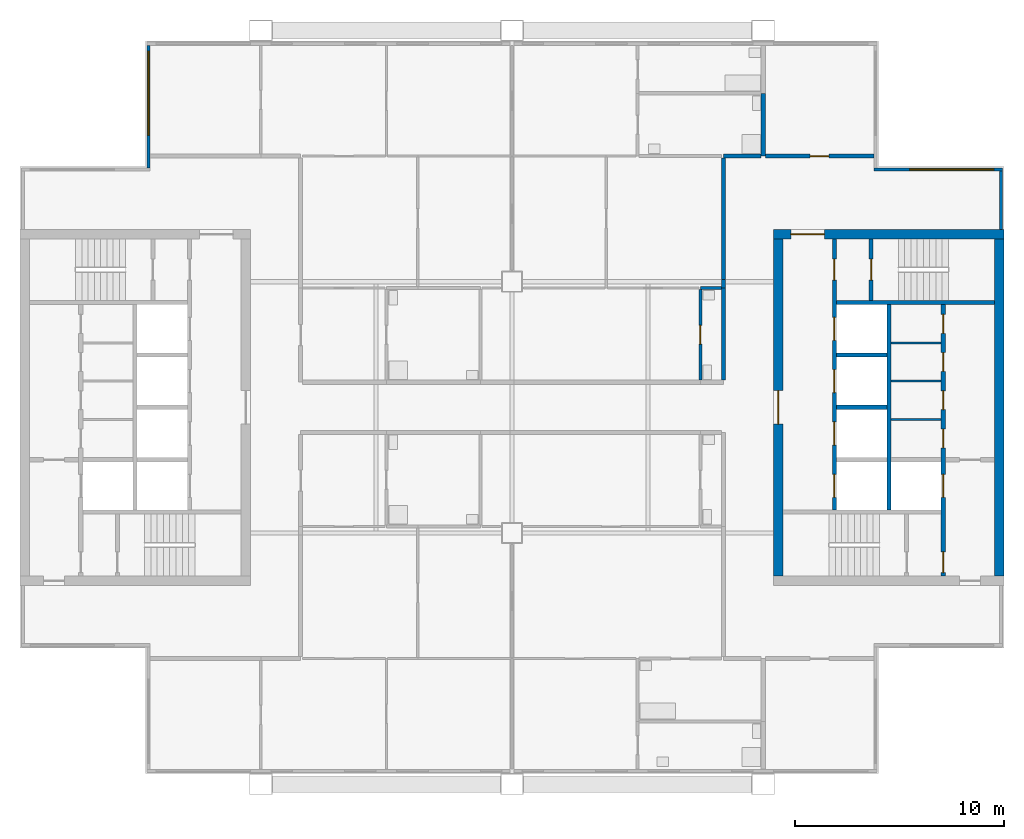
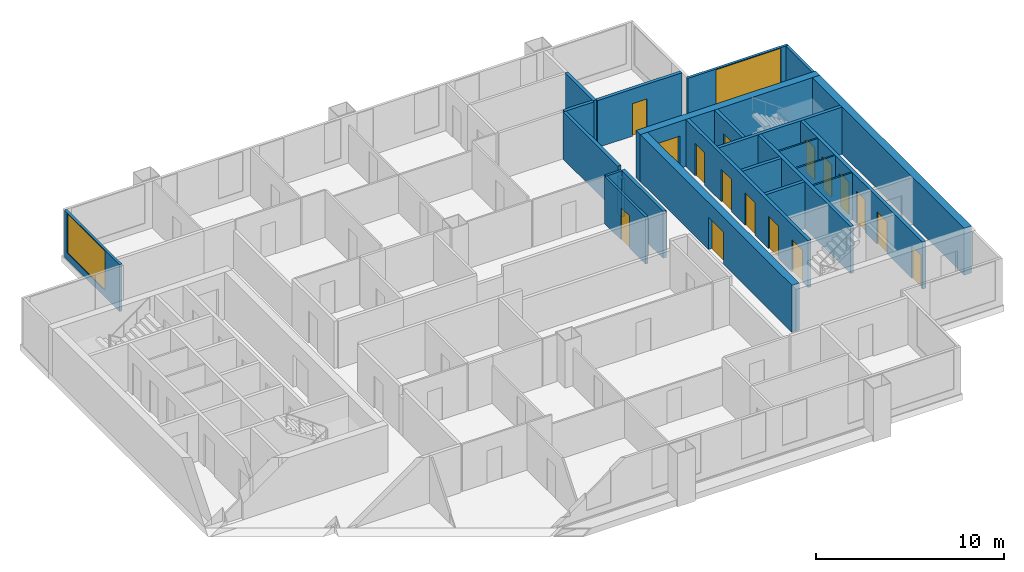
# One storey, part 5 of 8: 24 walls, 16 doors, 2 windows, 18 openings.
"""IFC4 building model written with IfcOpenShell, lengths in metres."""

from ifc_helpers import new_model, si_unit, direction, frame, frame_2d, origin, place, context, subcontext, project, spatial, rectangle, extrude, material, layer, layer_set, type_object, element, fill, save


model = new_model("IFC4")

# Units and contexts
model_context = context("Model", 3, precision=1e-05, world=origin(), true_north=direction((0.0, 1.0)))
body_context = subcontext(model_context, "Body", "Model", "MODEL_VIEW")
ifc_project = project(units=[si_unit("LENGTHUNIT", "METRE"), si_unit("AREAUNIT", "SQUARE_METRE"), si_unit("VOLUMEUNIT", "CUBIC_METRE"), si_unit("PLANEANGLEUNIT", "RADIAN"), si_unit("MASSUNIT", "GRAM", prefix="KILO")], contexts=[model_context])

# Site, building, storey
site_placement = place(None, origin())
site = spatial("IfcSite", under=ifc_project, at=site_placement, CompositionType="ELEMENT")
building_placement = place(site_placement, origin())
building = spatial("IfcBuilding", under=site, at=building_placement, Name="Kitamizu Gate Tower and Museum", CompositionType="ELEMENT")
storey_placement = place(building_placement, frame((0.0, 0.0, 231.75)))
storey = spatial("IfcBuildingStorey", under=building, at=storey_placement, Name="L62", CompositionType="ELEMENT", Elevation=231.75)

# Wall, opening, door
ifc_material_1 = material(Name="Concrete Fc42", Category="concrete")
ifc_layer_1 = layer(ifc_material_1, 0.449951171875)
ifc_layer_set_1 = layer_set([ifc_layer_1], Name="Concrete Fc42")
wall_type_1 = type_object("IfcWallType", Name="Core wall 450", PredefinedType="SHEAR", material=ifc_layer_set_1)
wall_1_placement = place(storey_placement, frame((59.5, 38.27490234375, 0.0), z_axis=(0.0, 0.0, 1.0), x_axis=(-1.0, 0.0, 0.0)))
wall_1 = element("IfcWall", 1, at=wall_1_placement, inside=storey, type_object=wall_type_1, Name="Core wall EN", PredefinedType="SHEAR", context=body_context, shape_type="SweptSolid", body=[
    extrude(rectangle(XDim=11.0, YDim=0.449951171875, at=frame_2d((5.5, 0.0))), origin(), (0.0, 0.0, 1.0), 3.050048828125),
])
opening_1_placement = place(wall_1_placement, frame((8.574951171875, 0.0, 0.0)))
opening_1 = element("IfcOpeningElement", 2, at=opening_1_placement, cuts=wall_1, Name="Opening L62-048", PredefinedType="OPENING", context=body_context, shape_type="SweptSolid", body=[
    extrude(rectangle(XDim=1.60009765625, YDim=2.10009765625, at=frame_2d((0.800048828125, 1.050048828125))), frame((0.0, 0.23486328125, 0.0), z_axis=(0.0, -1.0, 0.0), x_axis=(1.0, 0.0, 0.0)), (0.0, 0.0, 1.0), 0.469970703125),
])
ifc_material_2 = material(Name="Timber door set", Category="wood")
door_type_1 = type_object("IfcDoorType", Name="Entrance door 1600", OperationType="DOUBLE_DOOR_SINGLE_SWING", PredefinedType="DOOR", material=ifc_material_2)
door_1_placement = place(opening_1_placement, origin())
door_1 = element("IfcDoor", 3, at=door_1_placement, inside=storey, type_object=door_type_1, Name="Lobby door L62-048", OperationType="DOUBLE_DOOR_SINGLE_SWING", OverallHeight=2.10009765625, OverallWidth=1.60009765625, PredefinedType="DOOR", context=body_context, shape_type="SweptSolid", body=[
    extrude(rectangle(XDim=1.60009765625, YDim=2.10009765625, at=frame_2d((0.800048828125, 1.050048828125))), frame((0.0, 0.02490234375, 0.0), z_axis=(0.0, -1.0, 0.0), x_axis=(1.0, 0.0, 0.0)), (0.0, 0.0, 1.0), 0.050048828125),
])
fill(opening_1, door_1)

# Wall
wall_2_placement = place(storey_placement, frame((59.27490234375, 21.949951171875, 0.0), z_axis=(0.0, 0.0, 1.0), x_axis=(0.0, 1.0, 0.0)))
element("IfcWall", 4, at=wall_2_placement, inside=storey, type_object=wall_type_1, Name="Core wall EOUT", PredefinedType="SHEAR", context=body_context, shape_type="SweptSolid", body=[
    extrude(rectangle(XDim=16.10009765625, YDim=0.449951171875, at=frame_2d((8.050048828125, 0.0))), origin(), (0.0, 0.0, 1.0), 3.050048828125),
])

# Wall, opening, door
wall_3_placement = place(storey_placement, frame((48.72509765625, 21.949951171875, 0.0), z_axis=(0.0, 0.0, 1.0), x_axis=(0.0, 1.0, 0.0)))
wall_3 = element("IfcWall", 5, at=wall_3_placement, inside=storey, type_object=wall_type_1, Name="Core wall EARC", PredefinedType="SHEAR", context=body_context, shape_type="SweptSolid", body=[
    extrude(rectangle(XDim=16.10009765625, YDim=0.449951171875, at=frame_2d((8.050048828125, 0.0))), origin(), (0.0, 0.0, 1.0), 3.050048828125),
])
opening_2_placement = place(wall_3_placement, frame((7.25, 0.0, 0.0)))
opening_2 = element("IfcOpeningElement", 6, at=opening_2_placement, cuts=wall_3, Name="Opening L62-049", PredefinedType="OPENING", context=body_context, shape_type="SweptSolid", body=[
    extrude(rectangle(XDim=1.60009765625, YDim=2.10009765625, at=frame_2d((0.800048828125, 1.050048828125))), frame((0.0, 0.23486328125, 0.0), z_axis=(0.0, -1.0, 0.0), x_axis=(1.0, 0.0, 0.0)), (0.0, 0.0, 1.0), 0.469970703125),
])
door_2_placement = place(opening_2_placement, origin())
door_2 = element("IfcDoor", 7, at=door_2_placement, inside=storey, type_object=door_type_1, Name="Lobby door L62-049", OperationType="DOUBLE_DOOR_SINGLE_SWING", OverallHeight=2.10009765625, OverallWidth=1.60009765625, PredefinedType="DOOR", context=body_context, shape_type="SweptSolid", body=[
    extrude(rectangle(XDim=1.60009765625, YDim=2.10009765625, at=frame_2d((0.800048828125, 1.050048828125))), frame((0.0, 0.02490234375, 0.0), z_axis=(0.0, -1.0, 0.0), x_axis=(1.0, 0.0, 0.0)), (0.0, 0.0, 1.0), 0.050048828125),
])
fill(opening_2, door_2)

# Walls
ifc_material_3 = material(Name="Gypsum board on galvanised stud")
ifc_layer_2 = layer(ifc_material_3, 0.10009765625)
ifc_layer_set_2 = layer_set([ifc_layer_2], Name="Gypsum board on galvanised stud")
wall_type_2 = type_object("IfcWallType", Name="Partition 100", PredefinedType="PARTITIONING", material=ifc_layer_set_2)
for number, where, z_axis, x_axis, name in (
    (8, (56.5, 29.425048828125, 0.0), (0.0, 0.0, 1.0), (-1.0, 0.0, 0.0), "Partition EPF1"),
    (9, (56.5, 31.25, 0.0), (0.0, 0.0, 1.0), (-1.0, 0.0, 0.0), "Partition EPF2"),
    (10, (56.5, 33.074951171875, 0.0), (0.0, 0.0, 1.0), (-1.0, 0.0, 0.0), "Partition EPF3"),
):
    element("IfcWall", number, at=place(storey_placement, frame(where, z_axis=z_axis, x_axis=x_axis)), inside=storey, type_object=wall_type_2, Name=name, PredefinedType="PARTITIONING", context=body_context, shape_type="SweptSolid", body=[
        extrude(rectangle(XDim=2.39990234375, YDim=0.10009765625, at=frame_2d((1.199951171875, 0.0))), origin(), (0.0, 0.0, 1.0), 3.050048828125),
    ])
ifc_material_4 = material(Name="Gypsum board on galvanised stud")
ifc_layer_3 = layer(ifc_material_4, 0.14990234375)
ifc_layer_set_3 = layer_set([ifc_layer_3], Name="Gypsum board on galvanised stud")
wall_type_3 = type_object("IfcWallType", Name="Partition 150", PredefinedType="PARTITIONING", material=ifc_layer_set_3)
wall_4_placement = place(storey_placement, frame((45.0, 35.699951171875, 0.0), z_axis=(0.0, 0.0, 1.0), x_axis=(1.0, 0.0, 0.0)))
element("IfcWall", 11, at=wall_4_placement, inside=storey, type_object=wall_type_3, Name="Partition L62-067", PredefinedType="PARTITIONING", context=body_context, shape_type="SweptSolid", body=[
    extrude(rectangle(XDim=1.0, YDim=0.14990234375, at=frame_2d((0.5, 0.0))), origin(), (0.0, 0.0, 1.0), 3.050048828125),
])

# Wall, opening, door
wall_5_placement = place(storey_placement, frame((45.0, 31.300048828125, 0.0), z_axis=(0.0, 0.0, 1.0), x_axis=(0.0, 1.0, 0.0)))
wall_5 = element("IfcWall", 12, at=wall_5_placement, inside=storey, type_object=wall_type_3, Name="Partition L62-075", PredefinedType="PARTITIONING", context=body_context, shape_type="SweptSolid", body=[
    extrude(rectangle(XDim=4.324951171875, YDim=0.14990234375, at=frame_2d((2.16259765625, 0.0))), origin(), (0.0, 0.0, 1.0), 3.050048828125),
])
opening_3_placement = place(wall_5_placement, frame((1.71240234375, 0.0, 0.0)))
opening_3 = element("IfcOpeningElement", 13, at=opening_3_placement, cuts=wall_5, Name="Opening L62-026", PredefinedType="OPENING", context=body_context, shape_type="SweptSolid", body=[
    extrude(rectangle(XDim=0.89990234375, YDim=2.10009765625, at=frame_2d((0.449951171875, 1.050048828125))), frame((0.0, 0.0849609375, 0.0), z_axis=(0.0, -1.0, 0.0), x_axis=(1.0, 0.0, 0.0)), (0.0, 0.0, 1.0), 0.169921875),
])
ifc_material_5 = material(Name="Timber door set", Category="wood")
door_type_2 = type_object("IfcDoorType", Name="Bathroom door 900", OperationType="NOTDEFINED", PredefinedType="DOOR", material=ifc_material_5)
door_3_placement = place(opening_3_placement, frame((0.89990234375, 0.0, 0.0), x_axis=(-1.0, 0.0, 0.0)))
door_3 = element("IfcDoor", 14, at=door_3_placement, inside=storey, type_object=door_type_2, Name="Bathroom door L62-026", OperationType="SINGLE_SWING_RIGHT", OverallHeight=2.10009765625, OverallWidth=0.89990234375, PredefinedType="DOOR", context=body_context, shape_type="SweptSolid", body=[
    extrude(rectangle(XDim=0.89990234375, YDim=2.10009765625, at=frame_2d((0.449951171875, 1.050048828125))), frame((0.0, 0.02490234375, 0.0), z_axis=(0.0, -1.0, 0.0), x_axis=(1.0, 0.0, 0.0)), (0.0, 0.0, 1.0), 0.050048828125),
])
fill(opening_3, door_3)

# Walls
ifc_material_6 = material(Name="Gypsum board on galvanised stud")
ifc_layer_4 = layer(ifc_material_6, 0.199951171875)
ifc_layer_set_4 = layer_set([ifc_layer_4], Name="Gypsum board on galvanised stud")
wall_type_4 = type_object("IfcWallType", Name="Partition 200", PredefinedType="PARTITIONING", material=ifc_layer_set_4)
wall_6_placement = place(storey_placement, frame((48.0, 42.0, 0.0), z_axis=(0.0, 0.0, 1.0), x_axis=(0.0, 1.0, 0.0)))
element("IfcWall", 15, at=wall_6_placement, inside=storey, type_object=wall_type_4, Name="Partition L62-052", PredefinedType="PARTITIONING", context=body_context, shape_type="SweptSolid", body=[
    extrude(rectangle(XDim=3.0, YDim=0.199951171875, at=frame_2d((1.5, 0.0))), origin(), (0.0, 0.0, 1.0), 3.050048828125),
])
wall_7_placement = place(storey_placement, frame((46.10009765625, 42.0, 0.0), z_axis=(0.0, 0.0, 1.0), x_axis=(1.0, 0.0, 0.0)))
element("IfcWall", 16, at=wall_7_placement, inside=storey, type_object=wall_type_4, Name="Partition L62-053", PredefinedType="PARTITIONING", context=body_context, shape_type="SweptSolid", body=[
    extrude(rectangle(XDim=1.7998046875, YDim=0.199951171875, at=frame_2d((0.89990234375, 0.0))), origin(), (0.0, 0.0, 1.0), 3.050048828125),
])
wall_8_placement = place(storey_placement, frame((46.10009765625, 35.699951171875, 0.0), z_axis=(0.0, 0.0, 1.0), x_axis=(0.0, 1.0, 0.0)))
element("IfcWall", 17, at=wall_8_placement, inside=storey, type_object=wall_type_4, Name="Partition L62-068", PredefinedType="PARTITIONING", context=body_context, shape_type="SweptSolid", body=[
    extrude(rectangle(XDim=0.400146484375, YDim=0.199951171875, at=frame_2d((0.2001953125, 0.0))), origin(), (0.0, 0.0, 1.0), 2.449951171875),
])
wall_9_placement = place(storey_placement, frame((46.10009765625, 36.10009765625, 0.0), z_axis=(0.0, 0.0, 1.0), x_axis=(0.0, 1.0, 0.0)))
element("IfcWall", 18, at=wall_9_placement, inside=storey, type_object=wall_type_4, Name="Partition L62-069", PredefinedType="PARTITIONING", context=body_context, shape_type="SweptSolid", body=[
    extrude(rectangle(XDim=5.7998046875, YDim=0.199951171875, at=frame_2d((2.89990234375, 0.0))), origin(), (0.0, 0.0, 1.0), 3.050048828125),
])
wall_10_placement = place(storey_placement, frame((46.10009765625, 31.300048828125, 0.0), z_axis=(0.0, 0.0, 1.0), x_axis=(0.0, 1.0, 0.0)))
element("IfcWall", 19, at=wall_10_placement, inside=storey, type_object=wall_type_4, Name="Partition L62-079", PredefinedType="PARTITIONING", context=body_context, shape_type="SweptSolid", body=[
    extrude(rectangle(XDim=4.39990234375, YDim=0.199951171875, at=frame_2d((2.199951171875, 0.0))), origin(), (0.0, 0.0, 1.0), 3.050048828125),
])

# Wall, opening, door
wall_11_placement = place(storey_placement, frame((48.10009765625, 42.0, 0.0), z_axis=(0.0, 0.0, 1.0), x_axis=(1.0, 0.0, 0.0)))
wall_11 = element("IfcWall", 20, at=wall_11_placement, inside=storey, type_object=wall_type_4, Name="Partition L62-081", PredefinedType="PARTITIONING", context=body_context, shape_type="SweptSolid", body=[
    extrude(rectangle(XDim=5.179931640625, YDim=0.199951171875, at=frame_2d((2.58984375, 0.0))), origin(), (0.0, 0.0, 1.0), 3.050048828125),
])
opening_4_placement = place(wall_11_placement, frame((2.139892578125, 0.0, 0.0)))
opening_4 = element("IfcOpeningElement", 21, at=opening_4_placement, cuts=wall_11, Name="Opening L62-029", PredefinedType="OPENING", context=body_context, shape_type="SweptSolid", body=[
    extrude(rectangle(XDim=0.89990234375, YDim=2.10009765625, at=frame_2d((0.449951171875, 1.050048828125))), frame((0.0, 0.10986328125, 0.0), z_axis=(0.0, -1.0, 0.0), x_axis=(1.0, 0.0, 0.0)), (0.0, 0.0, 1.0), 0.219970703125),
])
ifc_material_7 = material(Name="Timber door set", Category="wood")
door_type_3 = type_object("IfcDoorType", Name="Room door 900", OperationType="NOTDEFINED", PredefinedType="DOOR", material=ifc_material_7)
door_4_placement = place(opening_4_placement, origin())
door_4 = element("IfcDoor", 22, at=door_4_placement, inside=storey, type_object=door_type_3, Name="Door L62-029", OperationType="SINGLE_SWING_RIGHT", OverallHeight=2.10009765625, OverallWidth=0.89990234375, PredefinedType="DOOR", context=body_context, shape_type="SweptSolid", body=[
    extrude(rectangle(XDim=0.89990234375, YDim=2.10009765625, at=frame_2d((0.449951171875, 1.050048828125))), frame((0.0, 0.02490234375, 0.0), z_axis=(0.0, -1.0, 0.0), x_axis=(1.0, 0.0, 0.0)), (0.0, 0.0, 1.0), 0.050048828125),
])
fill(opening_4, door_4)

# Wall, openings, doors
ifc_material_8 = material(Name="Concrete Fc42", Category="concrete")
ifc_layer_5 = layer(ifc_material_8, 0.199951171875)
ifc_layer_set_5 = layer_set([ifc_layer_5], Name="Concrete Fc42")
wall_type_5 = type_object("IfcWallType", Name="Shaft wall 200", PredefinedType="SOLIDWALL", material=ifc_layer_set_5)
wall_12_placement = place(storey_placement, frame((56.60009765625, 21.949951171875, 0.0), z_axis=(0.0, 0.0, 1.0), x_axis=(0.0, 1.0, 0.0)))
wall_12 = element("IfcWall", 23, at=wall_12_placement, inside=storey, type_object=wall_type_5, Name="Shaft wall EWEST", PredefinedType="SOLIDWALL", context=body_context, shape_type="SweptSolid", body=[
    extrude(rectangle(XDim=12.949951171875, YDim=0.199951171875, at=frame_2d((6.47509765625, 0.0))), origin(), (0.0, 0.0, 1.0), 3.050048828125),
])
opening_5_placement = place(wall_12_placement, frame((3.75, 0.0, 0.0)))
opening_5 = element("IfcOpeningElement", 24, at=opening_5_placement, cuts=wall_12, Name="Opening LD", PredefinedType="OPENING", context=body_context, shape_type="SweptSolid", body=[
    extrude(rectangle(XDim=1.10009765625, YDim=2.10009765625, at=frame_2d((0.550048828125, 1.050048828125))), frame((0.0, 0.10986328125, 0.0), z_axis=(0.0, -1.0, 0.0), x_axis=(1.0, 0.0, 0.0)), (0.0, 0.0, 1.0), 0.219970703125),
])
opening_6_placement = place(wall_12_placement, frame((0.14990234375, 0.0, 0.0)))
opening_6 = element("IfcOpeningElement", 25, at=opening_6_placement, cuts=wall_12, Name="Opening L62-043", PredefinedType="OPENING", context=body_context, shape_type="SweptSolid", body=[
    extrude(rectangle(XDim=1.0, YDim=2.10009765625, at=frame_2d((0.5, 1.050048828125))), frame((0.0, 0.10986328125, 0.0), z_axis=(0.0, -1.0, 0.0), x_axis=(1.0, 0.0, 0.0)), (0.0, 0.0, 1.0), 0.219970703125),
])
opening_7_placement = place(wall_12_placement, frame((6.112548828125, 0.0, 0.0)))
opening_7 = element("IfcOpeningElement", 26, at=opening_7_placement, cuts=wall_12, Name="Opening L62-050", PredefinedType="OPENING", context=body_context, shape_type="SweptSolid", body=[
    extrude(rectangle(XDim=0.89990234375, YDim=2.10009765625, at=frame_2d((0.449951171875, 1.050048828125))), frame((0.0, 0.10986328125, 0.0), z_axis=(0.0, -1.0, 0.0), x_axis=(1.0, 0.0, 0.0)), (0.0, 0.0, 1.0), 0.219970703125),
])
opening_8_placement = place(wall_12_placement, frame((7.9375, 0.0, 0.0)))
opening_8 = element("IfcOpeningElement", 27, at=opening_8_placement, cuts=wall_12, Name="Opening L62-051", PredefinedType="OPENING", context=body_context, shape_type="SweptSolid", body=[
    extrude(rectangle(XDim=0.89990234375, YDim=2.10009765625, at=frame_2d((0.449951171875, 1.050048828125))), frame((0.0, 0.10986328125, 0.0), z_axis=(0.0, -1.0, 0.0), x_axis=(1.0, 0.0, 0.0)), (0.0, 0.0, 1.0), 0.219970703125),
])
opening_9_placement = place(wall_12_placement, frame((9.762451171875, 0.0, 0.0)))
opening_9 = element("IfcOpeningElement", 28, at=opening_9_placement, cuts=wall_12, Name="Opening L62-052", PredefinedType="OPENING", context=body_context, shape_type="SweptSolid", body=[
    extrude(rectangle(XDim=0.89990234375, YDim=2.10009765625, at=frame_2d((0.449951171875, 1.050048828125))), frame((0.0, 0.10986328125, 0.0), z_axis=(0.0, -1.0, 0.0), x_axis=(1.0, 0.0, 0.0)), (0.0, 0.0, 1.0), 0.219970703125),
])
opening_10_placement = place(wall_12_placement, frame((11.58740234375, 0.0, 0.0)))
opening_10 = element("IfcOpeningElement", 29, at=opening_10_placement, cuts=wall_12, Name="Opening L62-053", PredefinedType="OPENING", context=body_context, shape_type="SweptSolid", body=[
    extrude(rectangle(XDim=0.89990234375, YDim=2.10009765625, at=frame_2d((0.449951171875, 1.050048828125))), frame((0.0, 0.10986328125, 0.0), z_axis=(0.0, -1.0, 0.0), x_axis=(1.0, 0.0, 0.0)), (0.0, 0.0, 1.0), 0.219970703125),
])
ifc_material_9 = material(Name="Hollow metal door set")
door_type_4 = type_object("IfcDoorType", Name="Fire door 1000", OperationType="NOTDEFINED", PredefinedType="DOOR", material=ifc_material_9)
door_5_placement = place(opening_6_placement, origin())
door_5 = element("IfcDoor", 30, at=door_5_placement, inside=storey, type_object=door_type_4, Name="Stair lobby door L62-043", OperationType="SINGLE_SWING_RIGHT", OverallHeight=2.10009765625, OverallWidth=1.0, PredefinedType="DOOR", context=body_context, shape_type="SweptSolid", body=[
    extrude(rectangle(XDim=1.0, YDim=2.10009765625, at=frame_2d((0.5, 1.050048828125))), frame((0.0, 0.02490234375, 0.0), z_axis=(0.0, -1.0, 0.0), x_axis=(1.0, 0.0, 0.0)), (0.0, 0.0, 1.0), 0.050048828125),
])
fill(opening_6, door_5)
ifc_material_10 = material(Name="Hollow metal door set")
door_type_5 = type_object("IfcDoorType", Name="Landing door 1100", OperationType="SLIDING_TO_LEFT", PredefinedType="DOOR", material=ifc_material_10)
door_6_placement = place(opening_5_placement, origin())
door_6 = element("IfcDoor", 31, at=door_6_placement, inside=storey, type_object=door_type_5, Name="Landing door EFF1", OperationType="SLIDING_TO_LEFT", OverallHeight=2.10009765625, OverallWidth=1.10009765625, PredefinedType="DOOR", context=body_context, shape_type="SweptSolid", body=[
    extrude(rectangle(XDim=1.10009765625, YDim=2.10009765625, at=frame_2d((0.550048828125, 1.050048828125))), frame((0.0, 0.02490234375, 0.0), z_axis=(0.0, -1.0, 0.0), x_axis=(1.0, 0.0, 0.0)), (0.0, 0.0, 1.0), 0.050048828125),
])
fill(opening_5, door_6)
ifc_material_11 = material(Name="Timber door set", Category="wood")
door_type_6 = type_object("IfcDoorType", Name="Service door 900", OperationType="NOTDEFINED", PredefinedType="DOOR", material=ifc_material_11)
door_7_placement = place(opening_7_placement, origin())
door_7 = element("IfcDoor", 32, at=door_7_placement, inside=storey, type_object=door_type_6, Name="Service door L62-050", OperationType="SINGLE_SWING_LEFT", OverallHeight=2.10009765625, OverallWidth=0.89990234375, PredefinedType="DOOR", context=body_context, shape_type="SweptSolid", body=[
    extrude(rectangle(XDim=0.89990234375, YDim=2.10009765625, at=frame_2d((0.449951171875, 1.050048828125))), frame((0.0, 0.02490234375, 0.0), z_axis=(0.0, -1.0, 0.0), x_axis=(1.0, 0.0, 0.0)), (0.0, 0.0, 1.0), 0.050048828125),
])
fill(opening_7, door_7)
door_8_placement = place(opening_8_placement, origin())
door_8 = element("IfcDoor", 33, at=door_8_placement, inside=storey, type_object=door_type_6, Name="Service door L62-051", OperationType="SINGLE_SWING_RIGHT", OverallHeight=2.10009765625, OverallWidth=0.89990234375, PredefinedType="DOOR", context=body_context, shape_type="SweptSolid", body=[
    extrude(rectangle(XDim=0.89990234375, YDim=2.10009765625, at=frame_2d((0.449951171875, 1.050048828125))), frame((0.0, 0.02490234375, 0.0), z_axis=(0.0, -1.0, 0.0), x_axis=(1.0, 0.0, 0.0)), (0.0, 0.0, 1.0), 0.050048828125),
])
fill(opening_8, door_8)
door_9_placement = place(opening_9_placement, origin())
door_9 = element("IfcDoor", 34, at=door_9_placement, inside=storey, type_object=door_type_6, Name="Service door L62-052", OperationType="SINGLE_SWING_LEFT", OverallHeight=2.10009765625, OverallWidth=0.89990234375, PredefinedType="DOOR", context=body_context, shape_type="SweptSolid", body=[
    extrude(rectangle(XDim=0.89990234375, YDim=2.10009765625, at=frame_2d((0.449951171875, 1.050048828125))), frame((0.0, 0.02490234375, 0.0), z_axis=(0.0, -1.0, 0.0), x_axis=(1.0, 0.0, 0.0)), (0.0, 0.0, 1.0), 0.050048828125),
])
fill(opening_9, door_9)
door_10_placement = place(opening_10_placement, origin())
door_10 = element("IfcDoor", 35, at=door_10_placement, inside=storey, type_object=door_type_6, Name="Service door L62-053", OperationType="SINGLE_SWING_RIGHT", OverallHeight=2.10009765625, OverallWidth=0.89990234375, PredefinedType="DOOR", context=body_context, shape_type="SweptSolid", body=[
    extrude(rectangle(XDim=0.89990234375, YDim=2.10009765625, at=frame_2d((0.449951171875, 1.050048828125))), frame((0.0, 0.02490234375, 0.0), z_axis=(0.0, -1.0, 0.0), x_axis=(1.0, 0.0, 0.0)), (0.0, 0.0, 1.0), 0.050048828125),
])
fill(opening_10, door_10)

wall_13_placement = place(storey_placement, frame((51.39990234375, 25.10009765625, 0.0), z_axis=(0.0, 0.0, 1.0), x_axis=(0.0, 1.0, 0.0)))
wall_13 = element("IfcWall", 36, at=wall_13_placement, inside=storey, type_object=wall_type_5, Name="Shaft wall EEAST", PredefinedType="SOLIDWALL", context=body_context, shape_type="SweptSolid", body=[
    extrude(rectangle(XDim=12.949951171875, YDim=0.199951171875, at=frame_2d((6.47509765625, 0.0))), origin(), (0.0, 0.0, 1.0), 3.050048828125),
])
opening_11_placement = place(wall_13_placement, frame((0.60009765625, 0.0, 0.0)))
opening_11 = element("IfcOpeningElement", 37, at=opening_11_placement, cuts=wall_13, Name="Opening LD", PredefinedType="OPENING", context=body_context, shape_type="SweptSolid", body=[
    extrude(rectangle(XDim=1.10009765625, YDim=2.10009765625, at=frame_2d((0.550048828125, 1.050048828125))), frame((0.0, 0.10986328125, 0.0), z_axis=(0.0, -1.0, 0.0), x_axis=(1.0, 0.0, 0.0)), (0.0, 0.0, 1.0), 0.219970703125),
])
opening_12_placement = place(wall_13_placement, frame((3.10009765625, 0.0, 0.0)))
opening_12 = element("IfcOpeningElement", 38, at=opening_12_placement, cuts=wall_13, Name="Opening LD", PredefinedType="OPENING", context=body_context, shape_type="SweptSolid", body=[
    extrude(rectangle(XDim=1.10009765625, YDim=2.10009765625, at=frame_2d((0.550048828125, 1.050048828125))), frame((0.0, 0.10986328125, 0.0), z_axis=(0.0, -1.0, 0.0), x_axis=(1.0, 0.0, 0.0)), (0.0, 0.0, 1.0), 0.219970703125),
])
opening_13_placement = place(wall_13_placement, frame((5.60009765625, 0.0, 0.0)))
opening_13 = element("IfcOpeningElement", 39, at=opening_13_placement, cuts=wall_13, Name="Opening LD", PredefinedType="OPENING", context=body_context, shape_type="SweptSolid", body=[
    extrude(rectangle(XDim=1.10009765625, YDim=2.10009765625, at=frame_2d((0.550048828125, 1.050048828125))), frame((0.0, 0.10986328125, 0.0), z_axis=(0.0, -1.0, 0.0), x_axis=(1.0, 0.0, 0.0)), (0.0, 0.0, 1.0), 0.219970703125),
])
opening_14_placement = place(wall_13_placement, frame((8.10009765625, 0.0, 0.0)))
opening_14 = element("IfcOpeningElement", 40, at=opening_14_placement, cuts=wall_13, Name="Opening LD", PredefinedType="OPENING", context=body_context, shape_type="SweptSolid", body=[
    extrude(rectangle(XDim=1.10009765625, YDim=2.10009765625, at=frame_2d((0.550048828125, 1.050048828125))), frame((0.0, 0.10986328125, 0.0), z_axis=(0.0, -1.0, 0.0), x_axis=(1.0, 0.0, 0.0)), (0.0, 0.0, 1.0), 0.219970703125),
])
opening_15_placement = place(wall_13_placement, frame((10.97509765625, 0.0, 0.0)))
opening_15 = element("IfcOpeningElement", 41, at=opening_15_placement, cuts=wall_13, Name="Opening L62-044", PredefinedType="OPENING", context=body_context, shape_type="SweptSolid", body=[
    extrude(rectangle(XDim=1.0, YDim=2.10009765625, at=frame_2d((0.5, 1.050048828125))), frame((0.0, 0.10986328125, 0.0), z_axis=(0.0, -1.0, 0.0), x_axis=(1.0, 0.0, 0.0)), (0.0, 0.0, 1.0), 0.219970703125),
])
door_11_placement = place(opening_15_placement, frame((1.0, 0.0, 0.0), x_axis=(-1.0, 0.0, 0.0)))
door_11 = element("IfcDoor", 42, at=door_11_placement, inside=storey, type_object=door_type_4, Name="Stair lobby door L62-044", OperationType="SINGLE_SWING_RIGHT", OverallHeight=2.10009765625, OverallWidth=1.0, PredefinedType="DOOR", context=body_context, shape_type="SweptSolid", body=[
    extrude(rectangle(XDim=1.0, YDim=2.10009765625, at=frame_2d((0.5, 1.050048828125))), frame((0.0, 0.02490234375, 0.0), z_axis=(0.0, -1.0, 0.0), x_axis=(1.0, 0.0, 0.0)), (0.0, 0.0, 1.0), 0.050048828125),
])
fill(opening_15, door_11)
door_12_placement = place(opening_11_placement, origin())
door_12 = element("IfcDoor", 43, at=door_12_placement, inside=storey, type_object=door_type_5, Name="Landing door ESV1", OperationType="SLIDING_TO_LEFT", OverallHeight=2.10009765625, OverallWidth=1.10009765625, PredefinedType="DOOR", context=body_context, shape_type="SweptSolid", body=[
    extrude(rectangle(XDim=1.10009765625, YDim=2.10009765625, at=frame_2d((0.550048828125, 1.050048828125))), frame((0.0, 0.02490234375, 0.0), z_axis=(0.0, -1.0, 0.0), x_axis=(1.0, 0.0, 0.0)), (0.0, 0.0, 1.0), 0.050048828125),
])
fill(opening_11, door_12)
door_13_placement = place(opening_12_placement, origin())
door_13 = element("IfcDoor", 44, at=door_13_placement, inside=storey, type_object=door_type_5, Name="Landing door EH1", OperationType="SLIDING_TO_LEFT", OverallHeight=2.10009765625, OverallWidth=1.10009765625, PredefinedType="DOOR", context=body_context, shape_type="SweptSolid", body=[
    extrude(rectangle(XDim=1.10009765625, YDim=2.10009765625, at=frame_2d((0.550048828125, 1.050048828125))), frame((0.0, 0.02490234375, 0.0), z_axis=(0.0, -1.0, 0.0), x_axis=(1.0, 0.0, 0.0)), (0.0, 0.0, 1.0), 0.050048828125),
])
fill(opening_12, door_13)
door_14_placement = place(opening_13_placement, origin())
door_14 = element("IfcDoor", 45, at=door_14_placement, inside=storey, type_object=door_type_5, Name="Landing door EH2", OperationType="SLIDING_TO_LEFT", OverallHeight=2.10009765625, OverallWidth=1.10009765625, PredefinedType="DOOR", context=body_context, shape_type="SweptSolid", body=[
    extrude(rectangle(XDim=1.10009765625, YDim=2.10009765625, at=frame_2d((0.550048828125, 1.050048828125))), frame((0.0, 0.02490234375, 0.0), z_axis=(0.0, -1.0, 0.0), x_axis=(1.0, 0.0, 0.0)), (0.0, 0.0, 1.0), 0.050048828125),
])
fill(opening_13, door_14)
door_15_placement = place(opening_14_placement, origin())
door_15 = element("IfcDoor", 46, at=door_15_placement, inside=storey, type_object=door_type_5, Name="Landing door EH3", OperationType="SLIDING_TO_LEFT", OverallHeight=2.10009765625, OverallWidth=1.10009765625, PredefinedType="DOOR", context=body_context, shape_type="SweptSolid", body=[
    extrude(rectangle(XDim=1.10009765625, YDim=2.10009765625, at=frame_2d((0.550048828125, 1.050048828125))), frame((0.0, 0.02490234375, 0.0), z_axis=(0.0, -1.0, 0.0), x_axis=(1.0, 0.0, 0.0)), (0.0, 0.0, 1.0), 0.050048828125),
])
fill(opening_14, door_15)

# Walls
wall_14_placement = place(storey_placement, frame((54.0, 25.10009765625, 0.0), z_axis=(0.0, 0.0, 1.0), x_axis=(0.0, 1.0, 0.0)))
element("IfcWall", 47, at=wall_14_placement, inside=storey, type_object=wall_type_5, Name="Shaft wall EMID", PredefinedType="SOLIDWALL", context=body_context, shape_type="SweptSolid", body=[
    extrude(rectangle(XDim=9.7998046875, YDim=0.199951171875, at=frame_2d((4.89990234375, 0.0))), origin(), (0.0, 0.0, 1.0), 3.050048828125),
])
wall_15_placement = place(storey_placement, frame((59.050048828125, 35.0, 0.0), z_axis=(0.0, 0.0, 1.0), x_axis=(-1.0, 0.0, 0.0)))
element("IfcWall", 48, at=wall_15_placement, inside=storey, type_object=wall_type_5, Name="Shaft wall ENB", PredefinedType="SOLIDWALL", context=body_context, shape_type="SweptSolid", body=[
    extrude(rectangle(XDim=7.550048828125, YDim=0.199951171875, at=frame_2d((3.77490234375, 0.0))), origin(), (0.0, 0.0, 1.0), 3.050048828125),
])

# Wall, opening, door
wall_16_placement = place(storey_placement, frame((53.14990234375, 35.10009765625, 0.0), z_axis=(0.0, 0.0, 1.0), x_axis=(0.0, 1.0, 0.0)))
wall_16 = element("IfcWall", 49, at=wall_16_placement, inside=storey, type_object=wall_type_5, Name="Shaft wall ENZ", PredefinedType="SOLIDWALL", context=body_context, shape_type="SweptSolid", body=[
    extrude(rectangle(XDim=2.949951171875, YDim=0.199951171875, at=frame_2d((1.47509765625, 0.0))), origin(), (0.0, 0.0, 1.0), 3.050048828125),
])
opening_16_placement = place(wall_16_placement, frame((0.97509765625, 0.0, 0.0)))
opening_16 = element("IfcOpeningElement", 50, at=opening_16_placement, cuts=wall_16, Name="Opening L62-045", PredefinedType="OPENING", context=body_context, shape_type="SweptSolid", body=[
    extrude(rectangle(XDim=1.0, YDim=2.10009765625, at=frame_2d((0.5, 1.050048828125))), frame((0.0, 0.10986328125, 0.0), z_axis=(0.0, -1.0, 0.0), x_axis=(1.0, 0.0, 0.0)), (0.0, 0.0, 1.0), 0.219970703125),
])
door_16_placement = place(opening_16_placement, frame((1.0, 0.0, 0.0), x_axis=(-1.0, 0.0, 0.0)))
door_16 = element("IfcDoor", 51, at=door_16_placement, inside=storey, type_object=door_type_4, Name="Stair door L62-045", OperationType="SINGLE_SWING_LEFT", OverallHeight=2.10009765625, OverallWidth=1.0, PredefinedType="DOOR", context=body_context, shape_type="SweptSolid", body=[
    extrude(rectangle(XDim=1.0, YDim=2.10009765625, at=frame_2d((0.5, 1.050048828125))), frame((0.0, 0.02490234375, 0.0), z_axis=(0.0, -1.0, 0.0), x_axis=(1.0, 0.0, 0.0)), (0.0, 0.0, 1.0), 0.050048828125),
])
fill(opening_16, door_16)

# Walls
for number, where, z_axis, x_axis, name in (
    (52, (53.89990234375, 30.0, 0.0), (0.0, 0.0, 1.0), (-1.0, 0.0, 0.0), "Shaft wall EDVE1"),
    (53, (53.89990234375, 32.5, 0.0), (0.0, 0.0, 1.0), (-1.0, 0.0, 0.0), "Shaft wall EDVE2"),
):
    element("IfcWall", number, at=place(storey_placement, frame(where, z_axis=z_axis, x_axis=x_axis)), inside=storey, type_object=wall_type_5, Name=name, PredefinedType="SOLIDWALL", context=body_context, shape_type="SweptSolid", body=[
        extrude(rectangle(XDim=2.39990234375, YDim=0.199951171875, at=frame_2d((1.199951171875, 0.0))), origin(), (0.0, 0.0, 1.0), 3.050048828125),
    ])
ifc_material_12 = material(Name="Bronze anodised aluminium frame with insulated spandrel and tinted glass", Category="aluminium")
ifc_layer_6 = layer(ifc_material_12, 0.14990234375)
ifc_layer_set_6 = layer_set([ifc_layer_6], Name="Bronze anodised aluminium frame with insulated spandrel and tinted glass")
wall_type_6 = type_object("IfcWallType", Name="WINDOW WALL 150 BRONZE FRAME EI 30", PredefinedType="ELEMENTEDWALL", material=ifc_layer_set_6)
wall_17_placement = place(storey_placement, frame((59.364990234375, 38.5, 0.0), z_axis=(0.0, 0.0, 1.0), x_axis=(0.0, 1.0, 0.0)))
element("IfcWall", 54, at=wall_17_placement, inside=storey, type_object=wall_type_6, Name="Window wall east L62", PredefinedType="ELEMENTEDWALL", context=body_context, shape_type="SweptSolid", body=[
    extrude(rectangle(XDim=2.7900390625, YDim=0.14990234375, at=frame_2d((1.39501953125, 0.0))), origin(), (0.0, 0.0, 1.0), 3.050048828125),
])

# Wall, opening, window
wall_18_placement = place(storey_placement, frame((53.2900390625, 41.364990234375, 0.0), z_axis=(0.0, 0.0, 1.0), x_axis=(1.0, 0.0, 0.0)))
wall_18 = element("IfcWall", 55, at=wall_18_placement, inside=storey, type_object=wall_type_6, Name="Window wall north L62", PredefinedType="ELEMENTEDWALL", context=body_context, shape_type="SweptSolid", body=[
    extrude(rectangle(XDim=6.14990234375, YDim=0.14990234375, at=frame_2d((3.074951171875, 0.0))), origin(), (0.0, 0.0, 1.0), 3.050048828125),
])
opening_17_placement = place(wall_18_placement, frame((1.7099609375, 0.0, 0.449951171875)))
opening_17 = element("IfcOpeningElement", 56, at=opening_17_placement, cuts=wall_18, Name="Opening W16", PredefinedType="OPENING", context=body_context, shape_type="SweptSolid", body=[
    extrude(rectangle(XDim=4.0, YDim=2.550048828125, at=frame_2d((2.0, 1.27490234375))), frame((0.0, 0.0849609375, 0.0), z_axis=(0.0, -1.0, 0.0), x_axis=(1.0, 0.0, 0.0)), (0.0, 0.0, 1.0), 0.169921875),
])
ifc_material_13 = material(Name="Bronze anodised aluminium frame, tinted triple glazing", Category="aluminium")
window_type = type_object("IfcWindowType", Name="WINDOW 4000 x 2550 SILL 450", PartitioningType="SINGLE_PANEL", PredefinedType="WINDOW", material=ifc_material_13)
window_1_placement = place(opening_17_placement, origin())
window_1 = element("IfcWindow", 57, at=window_1_placement, inside=storey, type_object=window_type, Name="Window W16 L62", OverallHeight=2.550048828125, OverallWidth=4.0, PartitioningType="SINGLE_PANEL", PredefinedType="WINDOW", context=body_context, shape_type="SweptSolid", body=[
    extrude(rectangle(XDim=4.0, YDim=2.550048828125, at=frame_2d((2.0, 1.27490234375))), frame((0.0, 0.030029296875, 0.0), z_axis=(0.0, -1.0, 0.0), x_axis=(1.0, 0.0, 0.0)), (0.0, 0.0, 1.0), 0.06005859375),
])
fill(opening_17, window_1)

wall_19_placement = place(storey_placement, frame((18.635009765625, 41.43994140625, 0.0), z_axis=(0.0, 0.0, 1.0), x_axis=(0.0, 1.0, 0.0)))
wall_19 = element("IfcWall", 58, at=wall_19_placement, inside=storey, type_object=wall_type_6, Name="Window wall west L62", PredefinedType="ELEMENTEDWALL", context=body_context, shape_type="SweptSolid", body=[
    extrude(rectangle(XDim=5.85009765625, YDim=0.14990234375, at=frame_2d((2.925048828125, 0.0))), origin(), (0.0, 0.0, 1.0), 3.050048828125),
])
opening_18_placement = place(wall_19_placement, frame((1.56005859375, 0.0, 0.449951171875)))
opening_18 = element("IfcOpeningElement", 59, at=opening_18_placement, cuts=wall_19, Name="Opening W16", PredefinedType="OPENING", context=body_context, shape_type="SweptSolid", body=[
    extrude(rectangle(XDim=4.0, YDim=2.550048828125, at=frame_2d((2.0, 1.27490234375))), frame((0.0, 0.0849609375, 0.0), z_axis=(0.0, -1.0, 0.0), x_axis=(1.0, 0.0, 0.0)), (0.0, 0.0, 1.0), 0.169921875),
])
window_2_placement = place(opening_18_placement, origin())
window_2 = element("IfcWindow", 60, at=window_2_placement, inside=storey, type_object=window_type, Name="Window W16 L62", OverallHeight=2.550048828125, OverallWidth=4.0, PartitioningType="SINGLE_PANEL", PredefinedType="WINDOW", context=body_context, shape_type="SweptSolid", body=[
    extrude(rectangle(XDim=4.0, YDim=2.550048828125, at=frame_2d((2.0, 1.27490234375))), frame((0.0, 0.030029296875, 0.0), z_axis=(0.0, -1.0, 0.0), x_axis=(1.0, 0.0, 0.0)), (0.0, 0.0, 1.0), 0.06005859375),
])
fill(opening_18, window_2)

save(model, "model.ifc")
